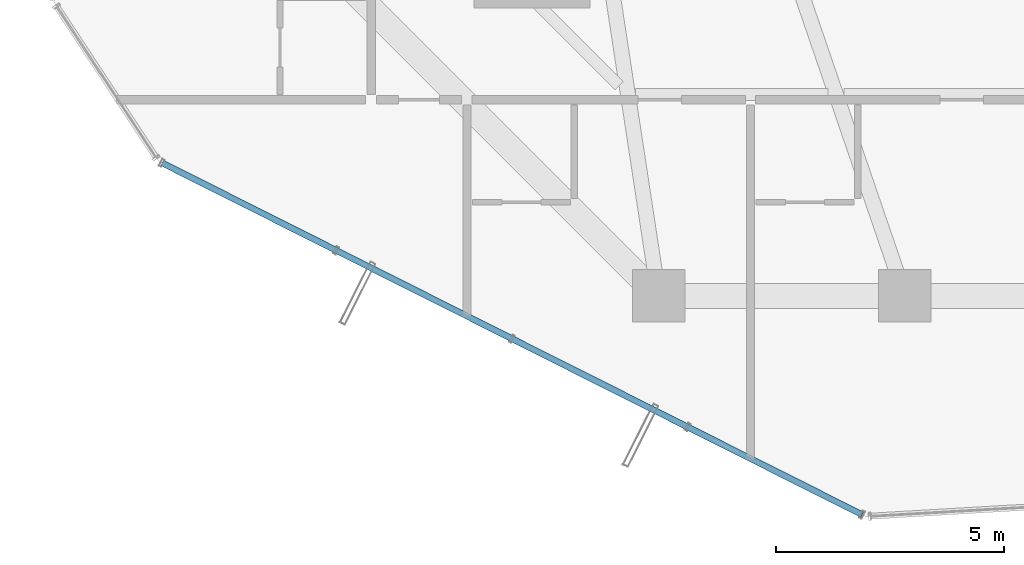
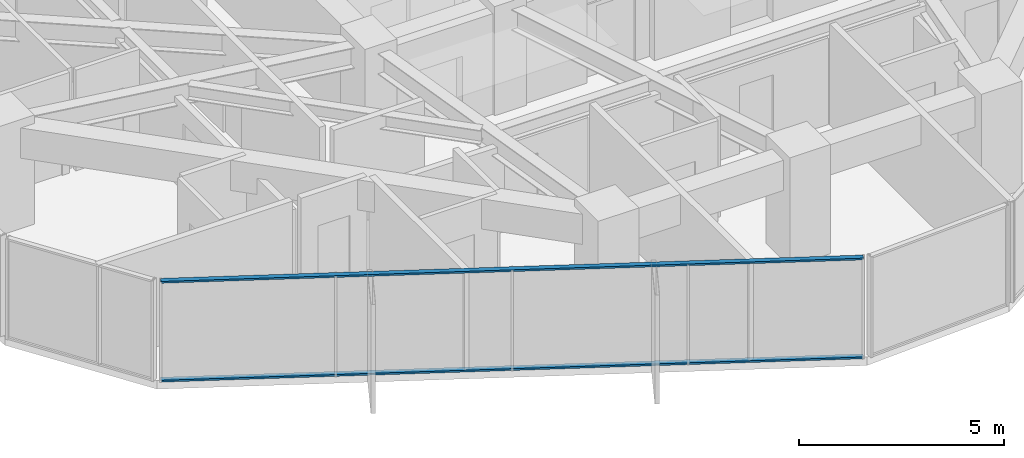
# One storey, part 3 of 33: 2 members, 1 element without a shape of its own.
"""IFC4 building model written with IfcOpenShell, lengths in metres."""

from ifc_helpers import new_model, si_unit, direction, frame, origin, origin_2d, place, context, subcontext, project, spatial, hollow_rectangle, extrude, source, transform, mapped, material, layer, layer_set, material_profile, profile_set, type_object, element, aggregate, save


model = new_model("IFC4")

# Units and contexts
model_context = context("Model", 3, precision=1e-05, world=origin(), true_north=direction((0.0, 1.0)))
body_context = subcontext(model_context, "Body", "Model", "MODEL_VIEW")
ifc_project = project(units=[si_unit("LENGTHUNIT", "METRE"), si_unit("AREAUNIT", "SQUARE_METRE"), si_unit("VOLUMEUNIT", "CUBIC_METRE"), si_unit("PLANEANGLEUNIT", "RADIAN"), si_unit("MASSUNIT", "GRAM", prefix="KILO")], contexts=[model_context])

# Site, building, storey
site_placement = place(None, origin())
site = spatial("IfcSite", under=ifc_project, at=site_placement, CompositionType="ELEMENT")
building_placement = place(site_placement, origin())
building = spatial("IfcBuilding", under=site, at=building_placement, Name="Veraguas Prism Commons", CompositionType="ELEMENT")
storey_placement = place(building_placement, frame((0.0, 0.0, 139.25)))
storey = spatial("IfcBuildingStorey", under=building, at=storey_placement, Name="L39", CompositionType="ELEMENT", Elevation=139.25)

# Curtain wall, members
ifc_material = material(Name="Anodised aluminium EN AW-6063 T6", Category="aluminium")
ifc_layer = layer(ifc_material, 0.169921875, Name="Unitised Flush Curtain Wall Zone 2", Category="aluminium")
ifc_layer_set = layer_set([ifc_layer], Name="Anodised aluminium EN AW-6063 T6")
curtain_wall_type = type_object("IfcCurtainWallType", Name="Unitised Flush Curtain Wall Zone 2", PredefinedType="NOTDEFINED", material=ifc_layer_set)
curtain_wall_placement = place(storey_placement, origin())
curtain_wall = element("IfcCurtainWall", 1, at=curtain_wall_placement, inside=storey, type_object=curtain_wall_type, Name="Tower Facade Curtain Wall L39-F4", PredefinedType="NOTDEFINED")
ifc_material_profile = material_profile(ifc_material, hollow_rectangle(XDim=0.054931640625, YDim=0.135009765625, WallThickness=0.0029296875, at=origin_2d()), Name="AL55X135X3")
ifc_profile_set = profile_set([ifc_material_profile], Name="Anodised aluminium EN AW-6063 T6")
member_type = type_object("IfcMemberType", Name="Curtain Wall Transom Standard AL 55x135x3", PredefinedType="USERDEFINED", material=ifc_profile_set)
shared_shape = source(origin(), body_context, "Body", "SweptSolid", [
    extrude(hollow_rectangle(XDim=0.054931640625, YDim=0.135009765625, WallThickness=0.0029296875, at=origin_2d()), origin(), (0.0, 0.0, 1.0), 17.17431640625),
])
member_1_placement = place(storey_placement, frame((7.714111328125, 10.7158203125, 0.027587890625), z_axis=(0.893521265753, -0.449020876628, 0.0), x_axis=(0.0, 0.0, 1.0)))
member_1 = element("IfcMember", 2, at=member_1_placement, type_object=member_type, Name="CW-Z2 Transom 1", ObjectType="TRANSOM", PredefinedType="USERDEFINED", context=body_context, shape_type="MappedRepresentation", body=[
    mapped(shared_shape, transform((0.0, 0.0, 0.0), scale=1.0)),
])
member_2_placement = place(storey_placement, frame((7.714111328125, 10.7158203125, 2.972412109375), z_axis=(0.893521265753, -0.449020876628, 0.0), x_axis=(0.0, 0.0, 1.0)))
member_2 = element("IfcMember", 3, at=member_2_placement, type_object=member_type, Name="CW-Z2 Transom 2", ObjectType="TRANSOM", PredefinedType="USERDEFINED", context=body_context, shape_type="MappedRepresentation", body=[
    mapped(shared_shape, transform((0.0, 0.0, 0.0), scale=1.0)),
])
aggregate(curtain_wall, [member_1, member_2])

save(model, "model.ifc")
